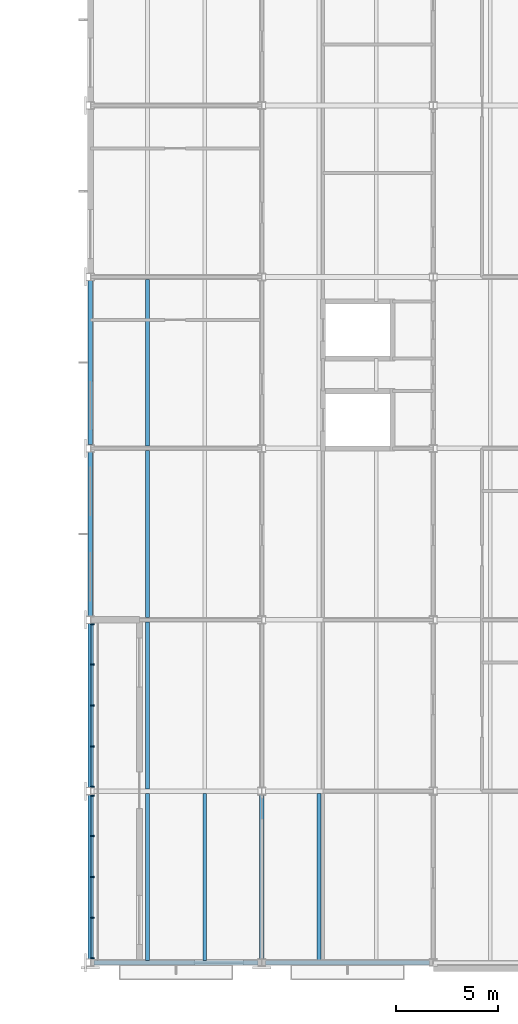
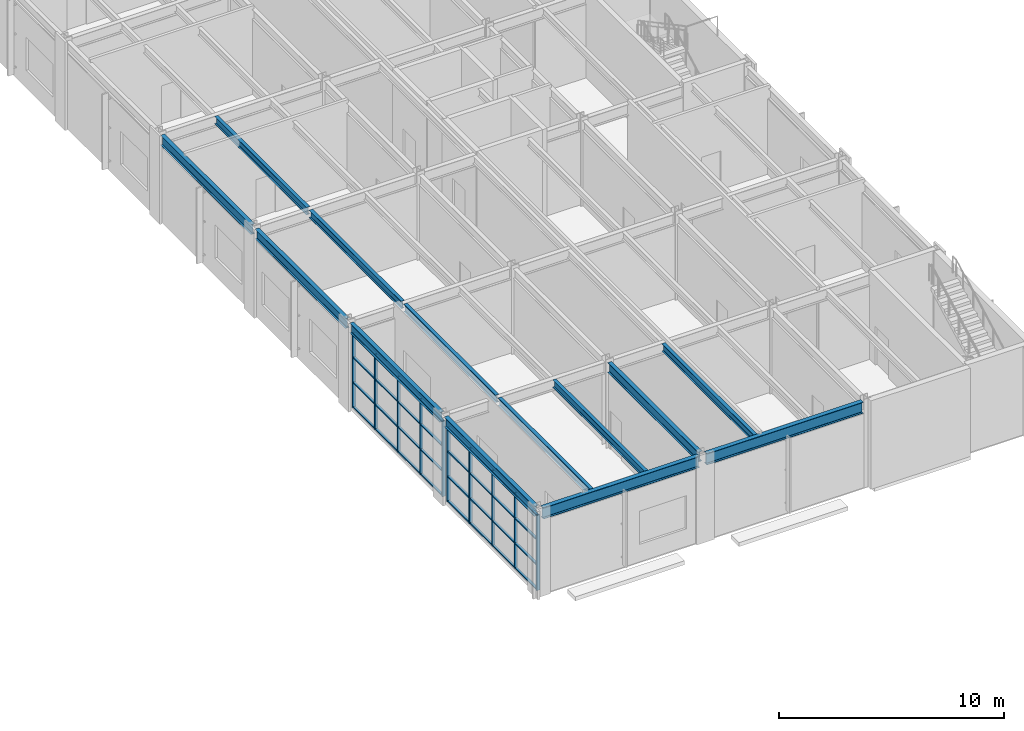
# One storey, part 24 of 127: 42 members, 13 beams, 2 elements without a shape of their own.
"""IFC4 building model written with IfcOpenShell, lengths in metres."""

from ifc_helpers import new_model, si_unit, direction, frame, origin, origin_2d, place, context, subcontext, project, spatial, rectangle, i_section, extrude, material, material_profile, profile_set, type_object, element, aggregate, save


model = new_model("IFC4")

# Units and contexts
model_context = context("Model", 3, precision=1e-05, world=origin(), true_north=direction((0.0, 1.0)))
body_context = subcontext(model_context, "Body", "Model", "MODEL_VIEW")
ifc_project = project(units=[si_unit("LENGTHUNIT", "METRE"), si_unit("AREAUNIT", "SQUARE_METRE"), si_unit("VOLUMEUNIT", "CUBIC_METRE"), si_unit("PLANEANGLEUNIT", "RADIAN"), si_unit("MASSUNIT", "GRAM", prefix="KILO")], contexts=[model_context])

# Site, building, storey
site_placement = place(None, origin())
site = spatial("IfcSite", under=ifc_project, at=site_placement, CompositionType="ELEMENT")
building_placement = place(site_placement, origin())
building = spatial("IfcBuilding", under=site, at=building_placement, Name="Ljudholm Concert House", CompositionType="ELEMENT")
storey_placement = place(building_placement, frame((0.0, 0.0, 5.39990234375)))
storey = spatial("IfcBuildingStorey", under=building, at=storey_placement, Name="L01", CompositionType="ELEMENT", Elevation=5.39990234375)

# Curtain wall, members
ifc_material_1 = material(Name="Aluminium curtain wall with fixed aluminium storm louvre blades, timber-grain finish", Category="aluminium")
curtain_wall_type = type_object("IfcCurtainWallType", Name="CURTAIN WALL 2000", PredefinedType="NOTDEFINED", material=ifc_material_1)
curtain_wall_1_placement = place(storey_placement, origin())
curtain_wall_1 = element("IfcCurtainWall", 1, at=curtain_wall_1_placement, inside=storey, type_object=curtain_wall_type, Name="Storm louvre screen", PredefinedType="NOTDEFINED")
ifc_material_2 = material(Name="Aluminium extrusion", Category="aluminium")
ifc_material_profile_1 = material_profile(ifc_material_2, rectangle(XDim=0.159912109375, YDim=0.06005859375, at=origin_2d()), Name="MULLION 60x160")
ifc_profile_set_1 = profile_set([ifc_material_profile_1], Name="Aluminium extrusion")
member_type_1 = type_object("IfcMemberType", Name="MULLION 60x160", PredefinedType="MULLION", material=ifc_profile_set_1)
member_1_placement = place(storey_placement, frame((96.5, 4.219970703125, 0.0), z_axis=(0.0, 0.0, 1.0), x_axis=(-1.0, 0.0, 0.0)))
member_1 = element("IfcMember", 2, at=member_1_placement, type_object=member_type_1, Name="Mullion", PredefinedType="MULLION", context=body_context, shape_type="SweptSolid", body=[
    extrude(rectangle(XDim=0.159912109375, YDim=0.06005859375, at=origin_2d()), origin(), (0.0, 0.0, 1.0), 4.086669921875),
])
member_2_placement = place(storey_placement, frame((96.5, 6.195068359375, 0.0), z_axis=(0.0, 0.0, 1.0), x_axis=(-1.0, 0.0, 0.0)))
member_2 = element("IfcMember", 3, at=member_2_placement, type_object=member_type_1, Name="Mullion", PredefinedType="MULLION", context=body_context, shape_type="SweptSolid", body=[
    extrude(rectangle(XDim=0.159912109375, YDim=0.06005859375, at=origin_2d()), origin(), (0.0, 0.0, 1.0), 4.086669921875),
])
member_3_placement = place(storey_placement, frame((96.5, 8.199951171875, 0.0), z_axis=(0.0, 0.0, 1.0), x_axis=(-1.0, 0.0, 0.0)))
member_3 = element("IfcMember", 4, at=member_3_placement, type_object=member_type_1, Name="Mullion", PredefinedType="MULLION", context=body_context, shape_type="SweptSolid", body=[
    extrude(rectangle(XDim=0.159912109375, YDim=0.06005859375, at=origin_2d()), origin(), (0.0, 0.0, 1.0), 4.086669921875),
])
member_4_placement = place(storey_placement, frame((96.5, 10.205078125, 0.0), z_axis=(0.0, 0.0, 1.0), x_axis=(-1.0, 0.0, 0.0)))
member_4 = element("IfcMember", 5, at=member_4_placement, type_object=member_type_1, Name="Mullion", PredefinedType="MULLION", context=body_context, shape_type="SweptSolid", body=[
    extrude(rectangle(XDim=0.159912109375, YDim=0.06005859375, at=origin_2d()), origin(), (0.0, 0.0, 1.0), 4.086669921875),
])
member_5_placement = place(storey_placement, frame((96.5, 12.179931640625, 0.0), z_axis=(0.0, 0.0, 1.0), x_axis=(-1.0, 0.0, 0.0)))
member_5 = element("IfcMember", 6, at=member_5_placement, type_object=member_type_1, Name="Mullion", PredefinedType="MULLION", context=body_context, shape_type="SweptSolid", body=[
    extrude(rectangle(XDim=0.159912109375, YDim=0.06005859375, at=origin_2d()), origin(), (0.0, 0.0, 1.0), 4.086669921875),
])

curtain_wall_2_placement = place(storey_placement, origin())
curtain_wall_2 = element("IfcCurtainWall", 7, at=curtain_wall_2_placement, inside=storey, type_object=curtain_wall_type, Name="Storm louvre screen", PredefinedType="NOTDEFINED")
member_6_placement = place(storey_placement, frame((96.5, 12.6201171875, 0.0), z_axis=(0.0, 0.0, 1.0), x_axis=(-1.0, 0.0, 0.0)))
member_6 = element("IfcMember", 8, at=member_6_placement, type_object=member_type_1, Name="Mullion", PredefinedType="MULLION", context=body_context, shape_type="SweptSolid", body=[
    extrude(rectangle(XDim=0.159912109375, YDim=0.06005859375, at=origin_2d()), origin(), (0.0, 0.0, 1.0), 4.086669921875),
])
member_7_placement = place(storey_placement, frame((96.5, 14.594970703125, 0.0), z_axis=(0.0, 0.0, 1.0), x_axis=(-1.0, 0.0, 0.0)))
member_7 = element("IfcMember", 9, at=member_7_placement, type_object=member_type_1, Name="Mullion", PredefinedType="MULLION", context=body_context, shape_type="SweptSolid", body=[
    extrude(rectangle(XDim=0.159912109375, YDim=0.06005859375, at=origin_2d()), origin(), (0.0, 0.0, 1.0), 4.086669921875),
])
member_8_placement = place(storey_placement, frame((96.5, 16.60009765625, 0.0), z_axis=(0.0, 0.0, 1.0), x_axis=(-1.0, 0.0, 0.0)))
member_8 = element("IfcMember", 10, at=member_8_placement, type_object=member_type_1, Name="Mullion", PredefinedType="MULLION", context=body_context, shape_type="SweptSolid", body=[
    extrude(rectangle(XDim=0.159912109375, YDim=0.06005859375, at=origin_2d()), origin(), (0.0, 0.0, 1.0), 4.086669921875),
])
member_9_placement = place(storey_placement, frame((96.5, 18.60498046875, 0.0), z_axis=(0.0, 0.0, 1.0), x_axis=(-1.0, 0.0, 0.0)))
member_9 = element("IfcMember", 11, at=member_9_placement, type_object=member_type_1, Name="Mullion", PredefinedType="MULLION", context=body_context, shape_type="SweptSolid", body=[
    extrude(rectangle(XDim=0.159912109375, YDim=0.06005859375, at=origin_2d()), origin(), (0.0, 0.0, 1.0), 4.086669921875),
])
member_10_placement = place(storey_placement, frame((96.5, 20.580078125, 0.0), z_axis=(0.0, 0.0, 1.0), x_axis=(-1.0, 0.0, 0.0)))
member_10 = element("IfcMember", 12, at=member_10_placement, type_object=member_type_1, Name="Mullion", PredefinedType="MULLION", context=body_context, shape_type="SweptSolid", body=[
    extrude(rectangle(XDim=0.159912109375, YDim=0.06005859375, at=origin_2d()), origin(), (0.0, 0.0, 1.0), 4.086669921875),
])

# Beams
ifc_material_3 = material(Name="Steel ASTM A992", Category="steel")
ifc_material_profile_2 = material_profile(ifc_material_3, i_section(OverallWidth=0.177734375, OverallDepth=0.406494140625, WebThickness=0.0078125, FlangeThickness=0.012939453125, FilletRadius=0.01025390625, at=origin_2d()), Name="W16X40")
ifc_profile_set_2 = profile_set([ifc_material_profile_2], Name="Steel ASTM A992")
beam_type_1 = type_object("IfcBeamType", Name="STEEL BEAM W16X40", PredefinedType="BEAM", material=ifc_profile_set_2)
for number, where, z_axis, x_axis, name in (
    (13, (99.199951171875, 4.114501953125, 4.4169921875), (0.0, 1.0, 0.0), (-1.0, 0.0, 0.0), "Beam BOH-L02-sb-99.2-4"),
    (14, (102.0, 4.114501953125, 4.4169921875), (0.0, 1.0, 0.0), (-1.0, 0.0, 0.0), "Beam BOH-L02-sb-102-4"),
    (15, (99.199951171875, 12.5146484375, 4.4169921875), (0.0, 1.0, 0.0), (-1.0, 0.0, 0.0), "Beam BOH-L02-sb-99.2-12.4"),
    (16, (99.199951171875, 20.91455078125, 4.4169921875), (0.0, 1.0, 0.0), (-1.0, 0.0, 0.0), "Beam BOH-L02-sb-99.2-20.8"),
    (17, (99.199951171875, 29.314453125, 4.4169921875), (0.0, 1.0, 0.0), (-1.0, 0.0, 0.0), "Beam BOH-L02-sb-99.2-29.2"),
    (18, (107.60009765625, 4.114501953125, 4.4169921875), (0.0, 1.0, 0.0), (-1.0, 0.0, 0.0), "Beam BOH-L02-sb-107.6-4"),
):
    element("IfcBeam", number, at=place(storey_placement, frame(where, z_axis=z_axis, x_axis=x_axis)), inside=storey, type_object=beam_type_1, Name=name, PredefinedType="BEAM", context=body_context, shape_type="SweptSolid", body=[
        extrude(i_section(OverallWidth=0.177734375, OverallDepth=0.406494140625, WebThickness=0.0078125, FlangeThickness=0.012939453125, FilletRadius=0.01025390625, at=origin_2d()), origin(), (0.0, 0.0, 1.0), 8.1708984375),
    ])
ifc_material_4 = material(Name="Steel ASTM A992", Category="steel")
ifc_material_profile_3 = material_profile(ifc_material_4, i_section(OverallWidth=0.209228515625, OverallDepth=0.533447265625, WebThickness=0.01025390625, FlangeThickness=0.015625, FilletRadius=0.012939453125, at=origin_2d()), Name="W21X62")
ifc_profile_set_3 = profile_set([ifc_material_profile_3], Name="Steel ASTM A992")
beam_type_2 = type_object("IfcBeamType", Name="STEEL BEAM W21X62", PredefinedType="BEAM", material=ifc_profile_set_3)
for number, where, z_axis, x_axis, name in (
    (19, (96.39990234375, 4.186767578125, 4.353515625), (0.0, 1.0, 0.0), (-1.0, 0.0, 0.0), "Beam BOH-L02-gy-96.4-4"),
    (20, (96.39990234375, 12.586669921875, 4.353515625), (0.0, 1.0, 0.0), (-1.0, 0.0, 0.0), "Beam BOH-L02-gy-96.4-12.4"),
):
    element("IfcBeam", number, at=place(storey_placement, frame(where, z_axis=z_axis, x_axis=x_axis)), inside=storey, type_object=beam_type_2, Name=name, PredefinedType="BEAM", context=body_context, shape_type="SweptSolid", body=[
        extrude(i_section(OverallWidth=0.209228515625, OverallDepth=0.533447265625, WebThickness=0.01025390625, FlangeThickness=0.015625, FilletRadius=0.012939453125, at=origin_2d()), origin(), (0.0, 0.0, 1.0), 8.026611328125),
    ])
beam_1_placement = place(storey_placement, frame((96.39990234375, 20.986572265625, 4.353515625), z_axis=(0.0, 1.0, 0.0), x_axis=(-1.0, 0.0, 0.0)))
element("IfcBeam", 21, at=beam_1_placement, inside=storey, type_object=beam_type_2, Name="Beam BOH-L02-gy-96.4-20.8", PredefinedType="BEAM", context=body_context, shape_type="SweptSolid", body=[
    extrude(i_section(OverallWidth=0.209228515625, OverallDepth=0.533447265625, WebThickness=0.01025390625, FlangeThickness=0.015625, FilletRadius=0.012939453125, at=origin_2d()), origin(), (0.0, 0.0, 1.0), 8.02685546875),
])
for number, where, z_axis, x_axis, name in (
    (22, (96.39990234375, 29.38671875, 4.353515625), (0.0, 1.0, 0.0), (-1.0, 0.0, 0.0), "Beam BOH-L02-gy-96.4-29.2"),
    (23, (104.800048828125, 4.186767578125, 4.353515625), (0.0, 1.0, 0.0), (-1.0, 0.0, 0.0), "Beam BOH-L02-gy-104.8-4"),
):
    element("IfcBeam", number, at=place(storey_placement, frame(where, z_axis=z_axis, x_axis=x_axis)), inside=storey, type_object=beam_type_2, Name=name, PredefinedType="BEAM", context=body_context, shape_type="SweptSolid", body=[
        extrude(i_section(OverallWidth=0.209228515625, OverallDepth=0.533447265625, WebThickness=0.01025390625, FlangeThickness=0.015625, FilletRadius=0.012939453125, at=origin_2d()), origin(), (0.0, 0.0, 1.0), 8.026611328125),
    ])
ifc_material_5 = material(Name="Steel ASTM A992", Category="steel")
ifc_material_profile_4 = material_profile(ifc_material_5, i_section(OverallWidth=0.22900390625, OverallDepth=0.612060546875, WebThickness=0.011962890625, FlangeThickness=0.01953125, FilletRadius=0.0126953125, at=origin_2d()), Name="W24X84")
ifc_profile_set_4 = profile_set([ifc_material_profile_4], Name="Steel ASTM A992")
beam_type_3 = type_object("IfcBeamType", Name="STEEL BEAM W24X84", PredefinedType="BEAM", material=ifc_profile_set_4)
beam_2_placement = place(storey_placement, frame((96.586669921875, 4.0, 4.31396484375), z_axis=(1.0, 0.0, 0.0), x_axis=(0.0, 1.0, 0.0)))
element("IfcBeam", 24, at=beam_2_placement, inside=storey, type_object=beam_type_3, Name="Beam BOH-L02-gx-96.4-4", PredefinedType="BEAM", context=body_context, shape_type="SweptSolid", body=[
    extrude(i_section(OverallWidth=0.22900390625, OverallDepth=0.612060546875, WebThickness=0.011962890625, FlangeThickness=0.01953125, FilletRadius=0.0126953125, at=origin_2d()), origin(), (0.0, 0.0, 1.0), 8.026611328125),
])
beam_3_placement = place(storey_placement, frame((104.986572265625, 4.0, 4.31396484375), z_axis=(1.0, 0.0, 0.0), x_axis=(0.0, 1.0, 0.0)))
element("IfcBeam", 25, at=beam_3_placement, inside=storey, type_object=beam_type_3, Name="Beam BOH-L02-gx-104.8-4", PredefinedType="BEAM", context=body_context, shape_type="SweptSolid", body=[
    extrude(i_section(OverallWidth=0.22900390625, OverallDepth=0.612060546875, WebThickness=0.011962890625, FlangeThickness=0.01953125, FilletRadius=0.0126953125, at=origin_2d()), origin(), (0.0, 0.0, 1.0), 8.02685546875),
])

# Member
ifc_material_6 = material(Name="Aluminium extrusion", Category="aluminium")
ifc_material_profile_5 = material_profile(ifc_material_6, rectangle(XDim=0.1201171875, YDim=0.06005859375, at=origin_2d()), Name="TRANSOM 60x120")
ifc_profile_set_5 = profile_set([ifc_material_profile_5], Name="Aluminium extrusion")
member_type_2 = type_object("IfcMemberType", Name="TRANSOM 60x120", PredefinedType="USERDEFINED", material=ifc_profile_set_5)
member_11_placement = place(storey_placement, frame((96.5, 4.25, 0.030029296875), z_axis=(0.0, 1.0, 0.0), x_axis=(-1.0, 0.0, 0.0)))
member_11 = element("IfcMember", 26, at=member_11_placement, type_object=member_type_2, Name="Transom", ObjectType="TRANSOM", PredefinedType="USERDEFINED", context=body_context, shape_type="SweptSolid", body=[
    extrude(rectangle(XDim=0.1201171875, YDim=0.06005859375, at=origin_2d()), origin(), (0.0, 0.0, 1.0), 1.9150390625),
])

member_12_placement = place(storey_placement, frame((96.5, 4.25, 1.3623046875), z_axis=(0.0, 1.0, 0.0), x_axis=(-1.0, 0.0, 0.0)))
member_12 = element("IfcMember", 27, at=member_12_placement, type_object=member_type_2, Name="Transom", ObjectType="TRANSOM", PredefinedType="USERDEFINED", context=body_context, shape_type="SweptSolid", body=[
    extrude(rectangle(XDim=0.1201171875, YDim=0.06005859375, at=origin_2d()), origin(), (0.0, 0.0, 1.0), 1.9150390625),
])

member_13_placement = place(storey_placement, frame((96.5, 4.25, 2.724609375), z_axis=(0.0, 1.0, 0.0), x_axis=(-1.0, 0.0, 0.0)))
member_13 = element("IfcMember", 28, at=member_13_placement, type_object=member_type_2, Name="Transom", ObjectType="TRANSOM", PredefinedType="USERDEFINED", context=body_context, shape_type="SweptSolid", body=[
    extrude(rectangle(XDim=0.1201171875, YDim=0.06005859375, at=origin_2d()), origin(), (0.0, 0.0, 1.0), 1.9150390625),
])

member_14_placement = place(storey_placement, frame((96.5, 4.25, 4.056640625), z_axis=(0.0, 1.0, 0.0), x_axis=(-1.0, 0.0, 0.0)))
member_14 = element("IfcMember", 29, at=member_14_placement, type_object=member_type_2, Name="Transom", ObjectType="TRANSOM", PredefinedType="USERDEFINED", context=body_context, shape_type="SweptSolid", body=[
    extrude(rectangle(XDim=0.1201171875, YDim=0.06005859375, at=origin_2d()), origin(), (0.0, 0.0, 1.0), 1.9150390625),
])

member_15_placement = place(storey_placement, frame((96.5, 6.22509765625, 0.030029296875), z_axis=(0.0, 1.0, 0.0), x_axis=(-1.0, 0.0, 0.0)))
member_15 = element("IfcMember", 30, at=member_15_placement, type_object=member_type_2, Name="Transom", ObjectType="TRANSOM", PredefinedType="USERDEFINED", context=body_context, shape_type="SweptSolid", body=[
    extrude(rectangle(XDim=0.1201171875, YDim=0.06005859375, at=origin_2d()), origin(), (0.0, 0.0, 1.0), 1.94482421875),
])

member_16_placement = place(storey_placement, frame((96.5, 6.22509765625, 1.3623046875), z_axis=(0.0, 1.0, 0.0), x_axis=(-1.0, 0.0, 0.0)))
member_16 = element("IfcMember", 31, at=member_16_placement, type_object=member_type_2, Name="Transom", ObjectType="TRANSOM", PredefinedType="USERDEFINED", context=body_context, shape_type="SweptSolid", body=[
    extrude(rectangle(XDim=0.1201171875, YDim=0.06005859375, at=origin_2d()), origin(), (0.0, 0.0, 1.0), 1.94482421875),
])

member_17_placement = place(storey_placement, frame((96.5, 6.22509765625, 2.724609375), z_axis=(0.0, 1.0, 0.0), x_axis=(-1.0, 0.0, 0.0)))
member_17 = element("IfcMember", 32, at=member_17_placement, type_object=member_type_2, Name="Transom", ObjectType="TRANSOM", PredefinedType="USERDEFINED", context=body_context, shape_type="SweptSolid", body=[
    extrude(rectangle(XDim=0.1201171875, YDim=0.06005859375, at=origin_2d()), origin(), (0.0, 0.0, 1.0), 1.94482421875),
])

member_18_placement = place(storey_placement, frame((96.5, 6.22509765625, 4.056640625), z_axis=(0.0, 1.0, 0.0), x_axis=(-1.0, 0.0, 0.0)))
member_18 = element("IfcMember", 33, at=member_18_placement, type_object=member_type_2, Name="Transom", ObjectType="TRANSOM", PredefinedType="USERDEFINED", context=body_context, shape_type="SweptSolid", body=[
    extrude(rectangle(XDim=0.1201171875, YDim=0.06005859375, at=origin_2d()), origin(), (0.0, 0.0, 1.0), 1.94482421875),
])

member_19_placement = place(storey_placement, frame((96.5, 8.22998046875, 0.030029296875), z_axis=(0.0, 1.0, 0.0), x_axis=(-1.0, 0.0, 0.0)))
member_19 = element("IfcMember", 34, at=member_19_placement, type_object=member_type_2, Name="Transom", ObjectType="TRANSOM", PredefinedType="USERDEFINED", context=body_context, shape_type="SweptSolid", body=[
    extrude(rectangle(XDim=0.1201171875, YDim=0.06005859375, at=origin_2d()), origin(), (0.0, 0.0, 1.0), 1.945068359375),
])

member_20_placement = place(storey_placement, frame((96.5, 8.22998046875, 1.3623046875), z_axis=(0.0, 1.0, 0.0), x_axis=(-1.0, 0.0, 0.0)))
member_20 = element("IfcMember", 35, at=member_20_placement, type_object=member_type_2, Name="Transom", ObjectType="TRANSOM", PredefinedType="USERDEFINED", context=body_context, shape_type="SweptSolid", body=[
    extrude(rectangle(XDim=0.1201171875, YDim=0.06005859375, at=origin_2d()), origin(), (0.0, 0.0, 1.0), 1.945068359375),
])

member_21_placement = place(storey_placement, frame((96.5, 8.22998046875, 2.724609375), z_axis=(0.0, 1.0, 0.0), x_axis=(-1.0, 0.0, 0.0)))
member_21 = element("IfcMember", 36, at=member_21_placement, type_object=member_type_2, Name="Transom", ObjectType="TRANSOM", PredefinedType="USERDEFINED", context=body_context, shape_type="SweptSolid", body=[
    extrude(rectangle(XDim=0.1201171875, YDim=0.06005859375, at=origin_2d()), origin(), (0.0, 0.0, 1.0), 1.945068359375),
])

member_22_placement = place(storey_placement, frame((96.5, 8.22998046875, 4.056640625), z_axis=(0.0, 1.0, 0.0), x_axis=(-1.0, 0.0, 0.0)))
member_22 = element("IfcMember", 37, at=member_22_placement, type_object=member_type_2, Name="Transom", ObjectType="TRANSOM", PredefinedType="USERDEFINED", context=body_context, shape_type="SweptSolid", body=[
    extrude(rectangle(XDim=0.1201171875, YDim=0.06005859375, at=origin_2d()), origin(), (0.0, 0.0, 1.0), 1.945068359375),
])

member_23_placement = place(storey_placement, frame((96.5, 10.235107421875, 0.030029296875), z_axis=(0.0, 1.0, 0.0), x_axis=(-1.0, 0.0, 0.0)))
member_23 = element("IfcMember", 38, at=member_23_placement, type_object=member_type_2, Name="Transom", ObjectType="TRANSOM", PredefinedType="USERDEFINED", context=body_context, shape_type="SweptSolid", body=[
    extrude(rectangle(XDim=0.1201171875, YDim=0.06005859375, at=origin_2d()), origin(), (0.0, 0.0, 1.0), 1.914794921875),
])

member_24_placement = place(storey_placement, frame((96.5, 10.235107421875, 1.3623046875), z_axis=(0.0, 1.0, 0.0), x_axis=(-1.0, 0.0, 0.0)))
member_24 = element("IfcMember", 39, at=member_24_placement, type_object=member_type_2, Name="Transom", ObjectType="TRANSOM", PredefinedType="USERDEFINED", context=body_context, shape_type="SweptSolid", body=[
    extrude(rectangle(XDim=0.1201171875, YDim=0.06005859375, at=origin_2d()), origin(), (0.0, 0.0, 1.0), 1.914794921875),
])

member_25_placement = place(storey_placement, frame((96.5, 10.235107421875, 2.724609375), z_axis=(0.0, 1.0, 0.0), x_axis=(-1.0, 0.0, 0.0)))
member_25 = element("IfcMember", 40, at=member_25_placement, type_object=member_type_2, Name="Transom", ObjectType="TRANSOM", PredefinedType="USERDEFINED", context=body_context, shape_type="SweptSolid", body=[
    extrude(rectangle(XDim=0.1201171875, YDim=0.06005859375, at=origin_2d()), origin(), (0.0, 0.0, 1.0), 1.914794921875),
])

member_26_placement = place(storey_placement, frame((96.5, 10.235107421875, 4.056640625), z_axis=(0.0, 1.0, 0.0), x_axis=(-1.0, 0.0, 0.0)))
member_26 = element("IfcMember", 41, at=member_26_placement, type_object=member_type_2, Name="Transom", ObjectType="TRANSOM", PredefinedType="USERDEFINED", context=body_context, shape_type="SweptSolid", body=[
    extrude(rectangle(XDim=0.1201171875, YDim=0.06005859375, at=origin_2d()), origin(), (0.0, 0.0, 1.0), 1.914794921875),
])

aggregate(curtain_wall_1, [member_1, member_2, member_3, member_4, member_5, member_11, member_12, member_13, member_14, member_15, member_16, member_17, member_18, member_19, member_20, member_21, member_22, member_23, member_24, member_25, member_26])

member_27_placement = place(storey_placement, frame((96.5, 12.64990234375, 0.030029296875), z_axis=(0.0, 1.0, 0.0), x_axis=(-1.0, 0.0, 0.0)))
member_27 = element("IfcMember", 42, at=member_27_placement, type_object=member_type_2, Name="Transom", ObjectType="TRANSOM", PredefinedType="USERDEFINED", context=body_context, shape_type="SweptSolid", body=[
    extrude(rectangle(XDim=0.1201171875, YDim=0.06005859375, at=origin_2d()), origin(), (0.0, 0.0, 1.0), 1.9150390625),
])

member_28_placement = place(storey_placement, frame((96.5, 12.64990234375, 1.3623046875), z_axis=(0.0, 1.0, 0.0), x_axis=(-1.0, 0.0, 0.0)))
member_28 = element("IfcMember", 43, at=member_28_placement, type_object=member_type_2, Name="Transom", ObjectType="TRANSOM", PredefinedType="USERDEFINED", context=body_context, shape_type="SweptSolid", body=[
    extrude(rectangle(XDim=0.1201171875, YDim=0.06005859375, at=origin_2d()), origin(), (0.0, 0.0, 1.0), 1.9150390625),
])

member_29_placement = place(storey_placement, frame((96.5, 12.64990234375, 2.724609375), z_axis=(0.0, 1.0, 0.0), x_axis=(-1.0, 0.0, 0.0)))
member_29 = element("IfcMember", 44, at=member_29_placement, type_object=member_type_2, Name="Transom", ObjectType="TRANSOM", PredefinedType="USERDEFINED", context=body_context, shape_type="SweptSolid", body=[
    extrude(rectangle(XDim=0.1201171875, YDim=0.06005859375, at=origin_2d()), origin(), (0.0, 0.0, 1.0), 1.9150390625),
])

member_30_placement = place(storey_placement, frame((96.5, 12.64990234375, 4.056640625), z_axis=(0.0, 1.0, 0.0), x_axis=(-1.0, 0.0, 0.0)))
member_30 = element("IfcMember", 45, at=member_30_placement, type_object=member_type_2, Name="Transom", ObjectType="TRANSOM", PredefinedType="USERDEFINED", context=body_context, shape_type="SweptSolid", body=[
    extrude(rectangle(XDim=0.1201171875, YDim=0.06005859375, at=origin_2d()), origin(), (0.0, 0.0, 1.0), 1.9150390625),
])

member_31_placement = place(storey_placement, frame((96.5, 14.625, 0.030029296875), z_axis=(0.0, 1.0, 0.0), x_axis=(-1.0, 0.0, 0.0)))
member_31 = element("IfcMember", 46, at=member_31_placement, type_object=member_type_2, Name="Transom", ObjectType="TRANSOM", PredefinedType="USERDEFINED", context=body_context, shape_type="SweptSolid", body=[
    extrude(rectangle(XDim=0.1201171875, YDim=0.06005859375, at=origin_2d()), origin(), (0.0, 0.0, 1.0), 1.945068359375),
])

member_32_placement = place(storey_placement, frame((96.5, 14.625, 1.3623046875), z_axis=(0.0, 1.0, 0.0), x_axis=(-1.0, 0.0, 0.0)))
member_32 = element("IfcMember", 47, at=member_32_placement, type_object=member_type_2, Name="Transom", ObjectType="TRANSOM", PredefinedType="USERDEFINED", context=body_context, shape_type="SweptSolid", body=[
    extrude(rectangle(XDim=0.1201171875, YDim=0.06005859375, at=origin_2d()), origin(), (0.0, 0.0, 1.0), 1.945068359375),
])

member_33_placement = place(storey_placement, frame((96.5, 14.625, 2.724609375), z_axis=(0.0, 1.0, 0.0), x_axis=(-1.0, 0.0, 0.0)))
member_33 = element("IfcMember", 48, at=member_33_placement, type_object=member_type_2, Name="Transom", ObjectType="TRANSOM", PredefinedType="USERDEFINED", context=body_context, shape_type="SweptSolid", body=[
    extrude(rectangle(XDim=0.1201171875, YDim=0.06005859375, at=origin_2d()), origin(), (0.0, 0.0, 1.0), 1.945068359375),
])

member_34_placement = place(storey_placement, frame((96.5, 14.625, 4.056640625), z_axis=(0.0, 1.0, 0.0), x_axis=(-1.0, 0.0, 0.0)))
member_34 = element("IfcMember", 49, at=member_34_placement, type_object=member_type_2, Name="Transom", ObjectType="TRANSOM", PredefinedType="USERDEFINED", context=body_context, shape_type="SweptSolid", body=[
    extrude(rectangle(XDim=0.1201171875, YDim=0.06005859375, at=origin_2d()), origin(), (0.0, 0.0, 1.0), 1.945068359375),
])

member_35_placement = place(storey_placement, frame((96.5, 16.6298828125, 0.030029296875), z_axis=(0.0, 1.0, 0.0), x_axis=(-1.0, 0.0, 0.0)))
member_35 = element("IfcMember", 50, at=member_35_placement, type_object=member_type_2, Name="Transom", ObjectType="TRANSOM", PredefinedType="USERDEFINED", context=body_context, shape_type="SweptSolid", body=[
    extrude(rectangle(XDim=0.1201171875, YDim=0.06005859375, at=origin_2d()), origin(), (0.0, 0.0, 1.0), 1.945068359375),
])

member_36_placement = place(storey_placement, frame((96.5, 16.6298828125, 1.3623046875), z_axis=(0.0, 1.0, 0.0), x_axis=(-1.0, 0.0, 0.0)))
member_36 = element("IfcMember", 51, at=member_36_placement, type_object=member_type_2, Name="Transom", ObjectType="TRANSOM", PredefinedType="USERDEFINED", context=body_context, shape_type="SweptSolid", body=[
    extrude(rectangle(XDim=0.1201171875, YDim=0.06005859375, at=origin_2d()), origin(), (0.0, 0.0, 1.0), 1.945068359375),
])

member_37_placement = place(storey_placement, frame((96.5, 16.6298828125, 2.724609375), z_axis=(0.0, 1.0, 0.0), x_axis=(-1.0, 0.0, 0.0)))
member_37 = element("IfcMember", 52, at=member_37_placement, type_object=member_type_2, Name="Transom", ObjectType="TRANSOM", PredefinedType="USERDEFINED", context=body_context, shape_type="SweptSolid", body=[
    extrude(rectangle(XDim=0.1201171875, YDim=0.06005859375, at=origin_2d()), origin(), (0.0, 0.0, 1.0), 1.945068359375),
])

member_38_placement = place(storey_placement, frame((96.5, 16.6298828125, 4.056640625), z_axis=(0.0, 1.0, 0.0), x_axis=(-1.0, 0.0, 0.0)))
member_38 = element("IfcMember", 53, at=member_38_placement, type_object=member_type_2, Name="Transom", ObjectType="TRANSOM", PredefinedType="USERDEFINED", context=body_context, shape_type="SweptSolid", body=[
    extrude(rectangle(XDim=0.1201171875, YDim=0.06005859375, at=origin_2d()), origin(), (0.0, 0.0, 1.0), 1.945068359375),
])

member_39_placement = place(storey_placement, frame((96.5, 18.635009765625, 0.030029296875), z_axis=(0.0, 1.0, 0.0), x_axis=(-1.0, 0.0, 0.0)))
member_39 = element("IfcMember", 54, at=member_39_placement, type_object=member_type_2, Name="Transom", ObjectType="TRANSOM", PredefinedType="USERDEFINED", context=body_context, shape_type="SweptSolid", body=[
    extrude(rectangle(XDim=0.1201171875, YDim=0.06005859375, at=origin_2d()), origin(), (0.0, 0.0, 1.0), 1.9150390625),
])

member_40_placement = place(storey_placement, frame((96.5, 18.635009765625, 1.3623046875), z_axis=(0.0, 1.0, 0.0), x_axis=(-1.0, 0.0, 0.0)))
member_40 = element("IfcMember", 55, at=member_40_placement, type_object=member_type_2, Name="Transom", ObjectType="TRANSOM", PredefinedType="USERDEFINED", context=body_context, shape_type="SweptSolid", body=[
    extrude(rectangle(XDim=0.1201171875, YDim=0.06005859375, at=origin_2d()), origin(), (0.0, 0.0, 1.0), 1.9150390625),
])

member_41_placement = place(storey_placement, frame((96.5, 18.635009765625, 2.724609375), z_axis=(0.0, 1.0, 0.0), x_axis=(-1.0, 0.0, 0.0)))
member_41 = element("IfcMember", 56, at=member_41_placement, type_object=member_type_2, Name="Transom", ObjectType="TRANSOM", PredefinedType="USERDEFINED", context=body_context, shape_type="SweptSolid", body=[
    extrude(rectangle(XDim=0.1201171875, YDim=0.06005859375, at=origin_2d()), origin(), (0.0, 0.0, 1.0), 1.9150390625),
])

member_42_placement = place(storey_placement, frame((96.5, 18.635009765625, 4.056640625), z_axis=(0.0, 1.0, 0.0), x_axis=(-1.0, 0.0, 0.0)))
member_42 = element("IfcMember", 57, at=member_42_placement, type_object=member_type_2, Name="Transom", ObjectType="TRANSOM", PredefinedType="USERDEFINED", context=body_context, shape_type="SweptSolid", body=[
    extrude(rectangle(XDim=0.1201171875, YDim=0.06005859375, at=origin_2d()), origin(), (0.0, 0.0, 1.0), 1.9150390625),
])

aggregate(curtain_wall_2, [member_6, member_7, member_8, member_9, member_10, member_27, member_28, member_29, member_30, member_31, member_32, member_33, member_34, member_35, member_36, member_37, member_38, member_39, member_40, member_41, member_42])

save(model, "model.ifc")
